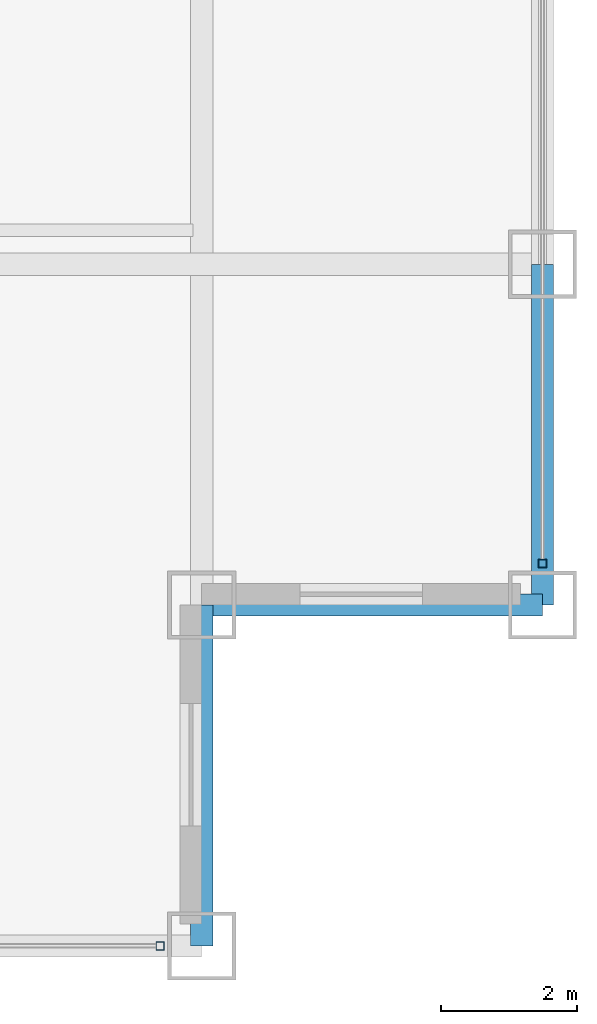
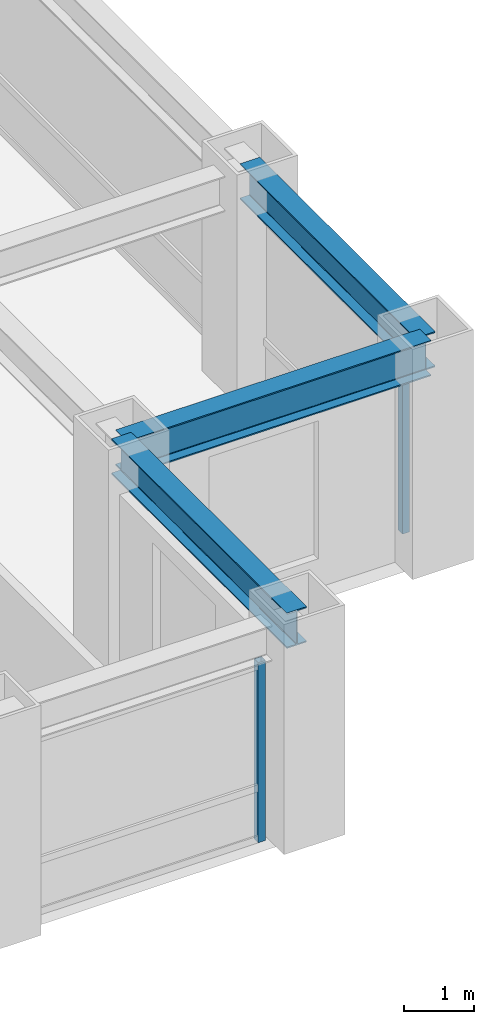
# One storey, part 8 of 25: 3 beams, 2 members, 2 elements without a shape of their own.
"""IFC4 building model written with IfcOpenShell, lengths in metres."""

from ifc_helpers import new_model, si_unit, direction, frame, origin, origin_2d, place, context, subcontext, project, spatial, hollow_rectangle, i_section, extrude, source, transform, mapped, material, material_profile, profile_set, type_object, element, aggregate, save


model = new_model("IFC4")

# Units and contexts
model_context = context("Model", 3, precision=1e-05, world=origin(), true_north=direction((0.0, 1.0)))
body_context = subcontext(model_context, "Body", "Model", "MODEL_VIEW")
ifc_project = project(units=[si_unit("LENGTHUNIT", "METRE"), si_unit("AREAUNIT", "SQUARE_METRE"), si_unit("VOLUMEUNIT", "CUBIC_METRE"), si_unit("PLANEANGLEUNIT", "RADIAN"), si_unit("MASSUNIT", "GRAM", prefix="KILO")], contexts=[model_context])

# Site, building, storey
site_placement = place(None, origin())
site = spatial("IfcSite", under=ifc_project, at=site_placement, CompositionType="ELEMENT")
building_placement = place(site_placement, origin())
building = spatial("IfcBuilding", under=site, at=building_placement, Name="Khorayat Bourse Tower", CompositionType="ELEMENT")
storey_placement = place(building_placement, frame((0.0, 0.0, 227.10009765625)))
storey = spatial("IfcBuildingStorey", under=building, at=storey_placement, Name="L53", CompositionType="ELEMENT", Elevation=227.10009765625)

# Beams
ifc_material_1 = material(Name="Steel ASTM A992 Grade 50", Category="steel")
ifc_material_profile_1 = material_profile(ifc_material_1, i_section(OverallWidth=0.324951171875, OverallDepth=0.615966796875, WebThickness=0.013916015625, FlangeThickness=0.021484375, FilletRadius=0.01611328125, at=origin_2d()), Name="W610X174")
ifc_profile_set_1 = profile_set([ifc_material_profile_1], Name="Steel ASTM A992 Grade 50")
beam_type = type_object("IfcBeamType", Name="BM-SPAN-610", PredefinedType="SPANDREL", material=ifc_profile_set_1)
shared_shape_1 = source(origin(), body_context, "Body", "SweptSolid", [
    extrude(i_section(OverallWidth=0.324951171875, OverallDepth=0.615966796875, WebThickness=0.013916015625, FlangeThickness=0.021484375, FilletRadius=0.01611328125, at=origin_2d()), origin(), (0.0, 0.0, 1.0), 5.0),
])
for number, where, z_axis, x_axis, name in (
    (1, (25.0, -30.0, 3.471923828125), (0.0, 1.0, 0.0), (-1.0, 0.0, 0.0), "L53 BM-SPAN-610 BM-L53-SPN-032"),
    (2, (25.0, -25.0, 3.471923828125), (1.0, 0.0, 0.0), (0.0, 1.0, 0.0), "L53 BM-SPAN-610 BM-L53-SPN-033"),
    (3, (30.0, -25.0, 3.471923828125), (0.0, 1.0, 0.0), (-1.0, 0.0, 0.0), "L53 BM-SPAN-610 BM-L53-SPN-034"),
):
    element("IfcBeam", number, at=place(storey_placement, frame(where, z_axis=z_axis, x_axis=x_axis)), inside=storey, type_object=beam_type, Name=name, PredefinedType="SPANDREL", context=body_context, shape_type="MappedRepresentation", body=[
        mapped(shared_shape_1, transform((0.0, 0.0, 0.0), scale=1.0)),
    ])

# Curtain wall, member
ifc_material_2 = material(Name="Aluminium EN AW-6063 T6", Category="aluminium")
curtain_wall_type = type_object("IfcCurtainWallType", Name="CW-SYS-03", PredefinedType="NOTDEFINED", material=ifc_material_2)
curtain_wall_1_placement = place(storey_placement, origin())
curtain_wall_1 = element("IfcCurtainWall", 4, at=curtain_wall_1_placement, inside=storey, type_object=curtain_wall_type, Name="L53 Curtain Wall CW-L53-S1", PredefinedType="NOTDEFINED")
ifc_material_profile_2 = material_profile(ifc_material_2, hollow_rectangle(XDim=0.1201171875, YDim=0.1201171875, WallThickness=0.0048828125, at=origin_2d()), Name="ALU 120x120x5")
ifc_profile_set_2 = profile_set([ifc_material_profile_2], Name="Aluminium EN AW-6063 T6")
member_type = type_object("IfcMemberType", Name="CWM-VERT-120", PredefinedType="MULLION", material=ifc_profile_set_2)
shared_shape_2 = source(origin(), body_context, "Body", "SweptSolid", [
    extrude(hollow_rectangle(XDim=0.1201171875, YDim=0.1201171875, WallThickness=0.0048828125, at=origin_2d()), origin(), (0.0, 0.0, 1.0), 3.1298828125),
])
member_1_placement = place(storey_placement, frame((24.389892578125, -30.0, 0.0), z_axis=(0.0, 0.0, 1.0), x_axis=(0.0, 1.0, 0.0)))
member_1 = element("IfcMember", 5, at=member_1_placement, type_object=member_type, Name="CW-L53-S1 Vertical Mullion 3", PredefinedType="MULLION", context=body_context, shape_type="MappedRepresentation", body=[
    mapped(shared_shape_2, transform((0.0, 0.0, 0.0), scale=1.0)),
])
aggregate(curtain_wall_1, [member_1])

curtain_wall_2_placement = place(storey_placement, origin())
curtain_wall_2 = element("IfcCurtainWall", 6, at=curtain_wall_2_placement, inside=storey, type_object=curtain_wall_type, Name="L53 Curtain Wall CW-L53-E1", PredefinedType="NOTDEFINED")
member_2_placement = place(storey_placement, frame((30.0, -24.389892578125, 0.0), z_axis=(0.0, 0.0, 1.0), x_axis=(-1.0, 0.0, 0.0)))
member_2 = element("IfcMember", 7, at=member_2_placement, type_object=member_type, Name="CW-L53-E1 Vertical Mullion 1", PredefinedType="MULLION", context=body_context, shape_type="MappedRepresentation", body=[
    mapped(shared_shape_2, transform((0.0, 0.0, 0.0), scale=1.0)),
])
aggregate(curtain_wall_2, [member_2])

save(model, "model.ifc")
